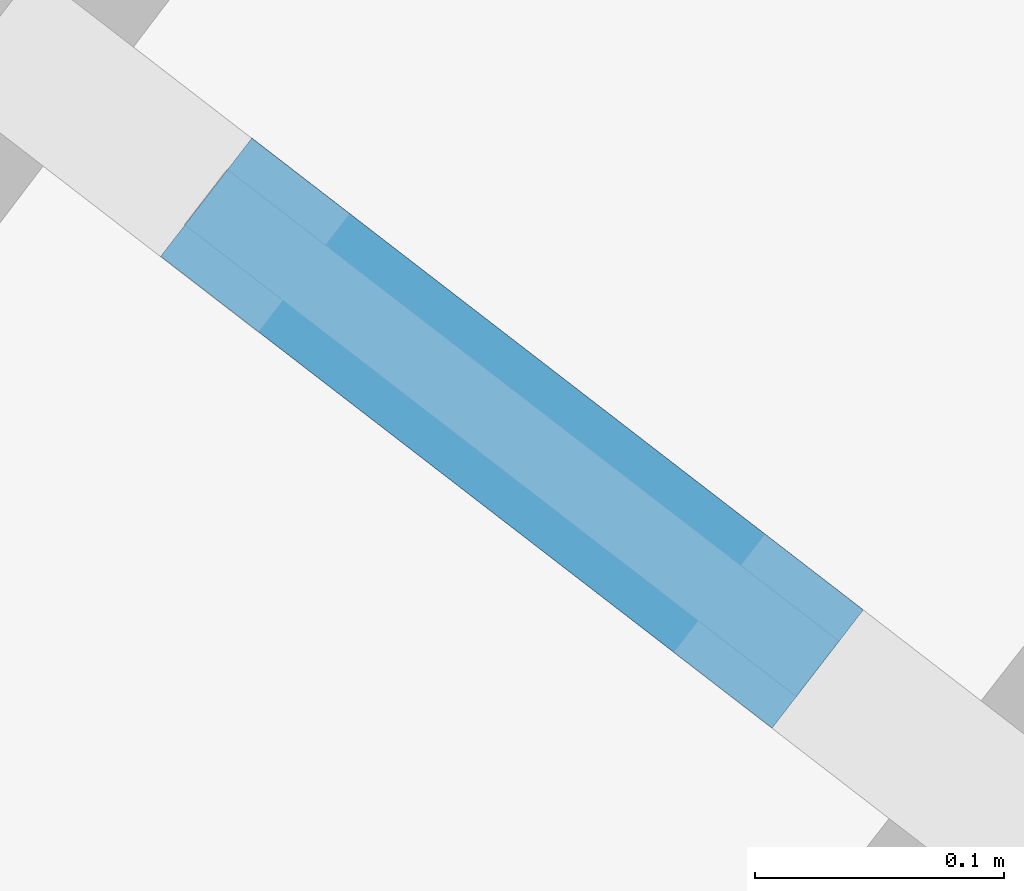
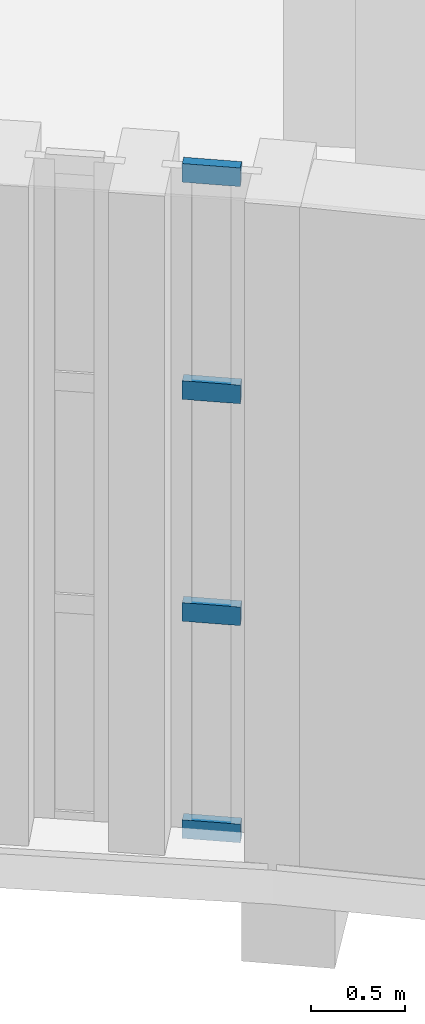
# One storey, part 37 of 112: 4 members, 1 element without a shape of its own.
"""IFC4 building model written with IfcOpenShell, lengths in metres."""

from ifc_helpers import new_model, si_unit, direction, frame, origin, origin_2d, place, context, subcontext, project, spatial, rectangle, extrude, material, layer, layer_set, material_profile, profile_set, type_object, element, aggregate, save


model = new_model("IFC4")

# Units and contexts
model_context = context("Model", 3, precision=1e-05, world=origin(), true_north=direction((0.0, 1.0)))
body_context = subcontext(model_context, "Body", "Model", "MODEL_VIEW")
ifc_project = project(units=[si_unit("LENGTHUNIT", "METRE"), si_unit("AREAUNIT", "SQUARE_METRE"), si_unit("VOLUMEUNIT", "CUBIC_METRE"), si_unit("PLANEANGLEUNIT", "RADIAN"), si_unit("MASSUNIT", "GRAM", prefix="KILO")], contexts=[model_context])

# Site, building, storey
site_placement = place(None, origin())
site = spatial("IfcSite", under=ifc_project, at=site_placement, CompositionType="ELEMENT")
building_placement = place(site_placement, origin())
building = spatial("IfcBuilding", under=site, at=building_placement, Name="Lunette Opera House", CompositionType="ELEMENT")
storey_placement = place(building_placement, frame((0.0, 0.0, 6.0)))
storey = spatial("IfcBuildingStorey", under=building, at=storey_placement, Name="L01", CompositionType="ELEMENT", Elevation=6.0)

# Curtain wall, members
ifc_material_1 = material(Name="Aluminium", Category="aluminium")
ifc_layer = layer(ifc_material_1, 0.1201171875)
ifc_layer_set = layer_set([ifc_layer], Name="Aluminium")
curtain_wall_type = type_object("IfcCurtainWallType", Name="SLOT CURTAIN WALL", PredefinedType="NOTDEFINED", material=ifc_layer_set)
curtain_wall_placement = place(storey_placement, origin())
curtain_wall = element("IfcCurtainWall", 1, at=curtain_wall_placement, inside=storey, type_object=curtain_wall_type, Name="Slot Curtain Wall CS075 L01", PredefinedType="NOTDEFINED")
ifc_material_2 = material(Name="Aluminium", Category="aluminium")
ifc_material_profile = material_profile(ifc_material_2, rectangle(XDim=0.06005859375, YDim=0.1201171875, at=origin_2d()), Name="TRANSOM 60 X 120")
ifc_profile_set = profile_set([ifc_material_profile], Name="Aluminium")
member_type = type_object("IfcMemberType", Name="TRANSOM 60 X 120", PredefinedType="USERDEFINED", material=ifc_profile_set)
member_1_placement = place(storey_placement, frame((127.78759765625, 41.53125, 0.030029296875), z_axis=(0.791717068558, -0.610887946643, 0.0), x_axis=(0.610887946643, 0.791717068558, 0.0)))
member_1 = element("IfcMember", 2, at=member_1_placement, type_object=member_type, Name="FC-X2150 transom 1.1", ObjectType="TRANSOM", PredefinedType="USERDEFINED", context=body_context, shape_type="SweptSolid", body=[
    extrude(rectangle(XDim=0.06005859375, YDim=0.1201171875, at=origin_2d()), origin(), (0.0, 0.0, 1.0), 0.310546875),
])
member_2_placement = place(storey_placement, frame((127.78759765625, 41.53125, 1.43310546875), z_axis=(0.791717068558, -0.610887946643, 0.0), x_axis=(0.610887946643, 0.791717068558, 0.0)))
member_2 = element("IfcMember", 3, at=member_2_placement, type_object=member_type, Name="FC-X2150 transom 1.2", ObjectType="TRANSOM", PredefinedType="USERDEFINED", context=body_context, shape_type="SweptSolid", body=[
    extrude(rectangle(XDim=0.06005859375, YDim=0.1201171875, at=origin_2d()), origin(), (0.0, 0.0, 1.0), 0.310546875),
])
member_3_placement = place(storey_placement, frame((127.78759765625, 41.53125, 2.866943359375), z_axis=(0.791717068558, -0.610887946643, 0.0), x_axis=(0.610887946643, 0.791717068558, 0.0)))
member_3 = element("IfcMember", 4, at=member_3_placement, type_object=member_type, Name="FC-X2150 transom 1.3", ObjectType="TRANSOM", PredefinedType="USERDEFINED", context=body_context, shape_type="SweptSolid", body=[
    extrude(rectangle(XDim=0.06005859375, YDim=0.1201171875, at=origin_2d()), origin(), (0.0, 0.0, 1.0), 0.310546875),
])
member_4_placement = place(storey_placement, frame((127.78759765625, 41.53125, 4.27001953125), z_axis=(0.791717068558, -0.610887946643, 0.0), x_axis=(0.610887946643, 0.791717068558, 0.0)))
member_4 = element("IfcMember", 5, at=member_4_placement, type_object=member_type, Name="FC-X2150 transom 1.4", ObjectType="TRANSOM", PredefinedType="USERDEFINED", context=body_context, shape_type="SweptSolid", body=[
    extrude(rectangle(XDim=0.06005859375, YDim=0.1201171875, at=origin_2d()), origin(), (0.0, 0.0, 1.0), 0.310546875),
])
aggregate(curtain_wall, [member_1, member_2, member_3, member_4])

save(model, "model.ifc")
